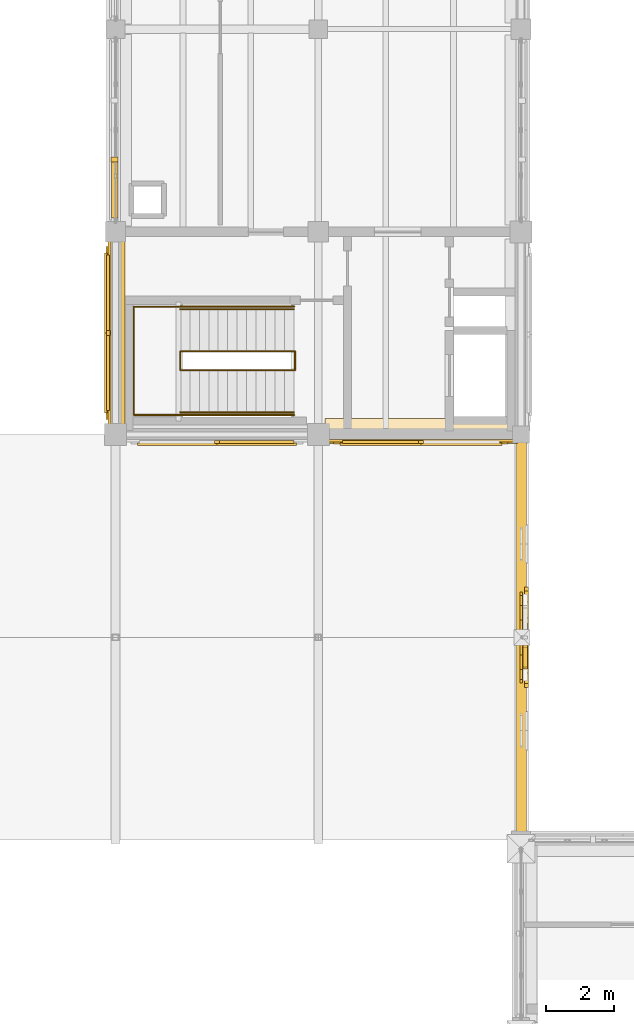
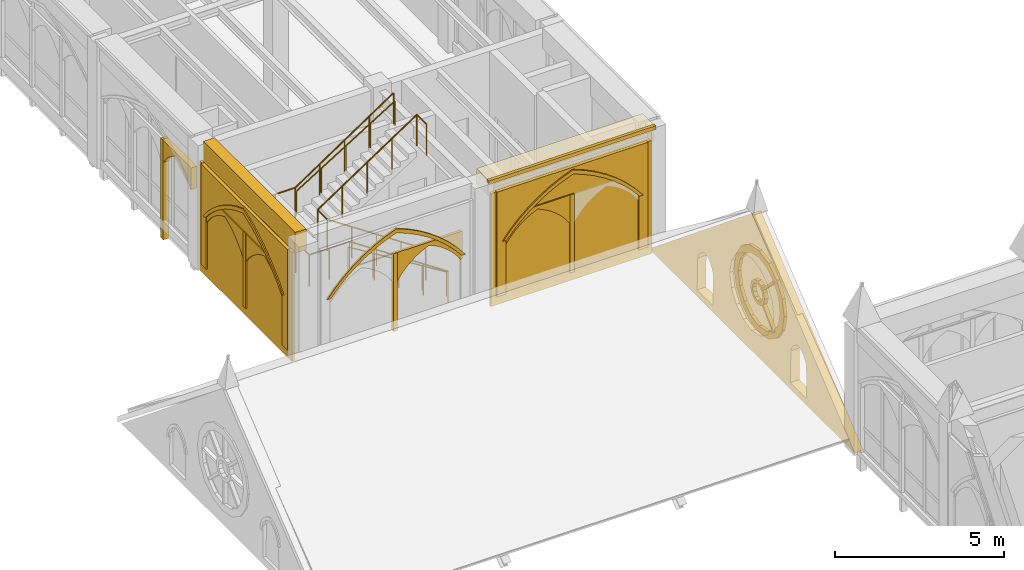
# One storey, part 114 of 143: 25 coverings, 6 railings.
"""IFC4 building model written with IfcOpenShell, lengths in metres."""

from ifc_helpers import new_model, si_unit, direction, frame, origin, origin_2d, place, context, subcontext, project, spatial, polyline, rectangle, circle, outline, extrude, material, type_object, element, save


model = new_model("IFC4")

# Units and contexts
model_context = context("Model", 3, precision=1e-05, world=origin(), true_north=direction((0.0, 1.0)))
body_context = subcontext(model_context, "Body", "Model", "MODEL_VIEW")
ifc_project = project(units=[si_unit("LENGTHUNIT", "METRE"), si_unit("AREAUNIT", "SQUARE_METRE"), si_unit("VOLUMEUNIT", "CUBIC_METRE"), si_unit("PLANEANGLEUNIT", "RADIAN"), si_unit("MASSUNIT", "GRAM", prefix="KILO")], contexts=[model_context])

# Site, building, storey
site_placement = place(None, origin())
site = spatial("IfcSite", under=ifc_project, at=site_placement, CompositionType="ELEMENT")
building_placement = place(site_placement, origin())
building = spatial("IfcBuilding", under=site, at=building_placement, Name="Cumevento Cable Car Station", CompositionType="ELEMENT")
storey_placement = place(building_placement, frame((0.0, 0.0, 9.0)))
storey = spatial("IfcBuildingStorey", under=building, at=storey_placement, Name="L03", CompositionType="ELEMENT", Elevation=9.0)

# Railings
ifc_material_1 = material(Name="Painted Galvanised Architectural Steel", Category="steel")
railing_type_1 = type_object("IfcRailingType", Name="Stair Guardrail GR-S115", PredefinedType="GUARDRAIL", material=ifc_material_1)
railing_1_placement = place(storey_placement, frame((15.280029296875, 28.89990234375, 0.0)))
element("IfcRailing", 1, at=railing_1_placement, inside=storey, type_object=railing_type_1, Name="Stair Well Inner Guardrail ST-03-L03", PredefinedType="GUARDRAIL", context=body_context, shape_type="SweptSolid", body=[
    extrude(circle(Radius=0.02392578125, at=origin_2d()), frame((0.0, 0.0, 1.1259765625), z_axis=(-0.830915400975, 0.0, 0.556398774641), x_axis=(0.0, -1.0, 0.0)), (0.0, 0.0, 1.0), 4.0439453125),
    extrude(circle(Radius=0.02392578125, at=origin_2d()), frame((-3.360107421875, 0.0, 3.3759765625), z_axis=(0.0, 1.0, 0.0), x_axis=(-1.0, 0.0, 0.0)), (0.0, 0.0, 1.0), 0.570068359375),
    extrude(circle(Radius=0.02392578125, at=origin_2d()), frame((-3.360107421875, 0.570068359375, 3.3759765625), z_axis=(0.833193183746, 0.0, 0.552982023722), x_axis=(0.0, 1.0, 0.0)), (0.0, 0.0, 1.0), 4.06884765625),
    extrude(circle(Radius=0.02392578125, at=origin_2d()), frame((0.030029296875, 0.570068359375, 5.6259765625), z_axis=(0.0, -1.0, 0.0), x_axis=(1.0, 0.0, 0.0)), (0.0, 0.0, 1.0), 0.570068359375),
    extrude(circle(Radius=0.02001953125, at=origin_2d()), origin(), (0.0, 0.0, 1.0), 1.101806640625),
    extrude(circle(Radius=0.02001953125, at=origin_2d()), frame((-0.840087890625, 0.0, 0.5625)), (0.0, 0.0, 1.0), 1.101806640625),
    extrude(circle(Radius=0.02001953125, at=origin_2d()), frame((-1.68017578125, 0.0, 1.125)), (0.0, 0.0, 1.0), 1.101806640625),
    extrude(circle(Radius=0.02001953125, at=origin_2d()), frame((-2.52001953125, 0.0, 1.6875)), (0.0, 0.0, 1.0), 1.101806640625),
    extrude(circle(Radius=0.02001953125, at=origin_2d()), frame((-3.360107421875, 0.0, 2.25)), (0.0, 0.0, 1.0), 1.101806640625),
    extrude(circle(Radius=0.02001953125, at=origin_2d()), frame((-3.360107421875, 0.570068359375, 2.25)), (0.0, 0.0, 1.0), 1.101806640625),
    extrude(circle(Radius=0.02001953125, at=origin_2d()), frame((-2.5126953125, 0.570068359375, 2.8125)), (0.0, 0.0, 1.0), 1.101806640625),
    extrude(circle(Radius=0.02001953125, at=origin_2d()), frame((-1.6650390625, 0.570068359375, 3.375)), (0.0, 0.0, 1.0), 1.101806640625),
    extrude(circle(Radius=0.02001953125, at=origin_2d()), frame((-0.8173828125, 0.570068359375, 3.9375)), (0.0, 0.0, 1.0), 1.101806640625),
    extrude(circle(Radius=0.02001953125, at=origin_2d()), frame((0.030029296875, 0.570068359375, 4.5)), (0.0, 0.0, 1.0), 1.101806640625),
    extrude(circle(Radius=0.02001953125, at=origin_2d()), frame((0.030029296875, 0.0, 4.5)), (0.0, 0.0, 1.0), 1.101806640625),
])
railing_2_placement = place(storey_placement, frame((11.919921875, 27.580078125, 2.25)))
element("IfcRailing", 2, at=railing_2_placement, inside=storey, type_object=railing_type_1, Name="Stair Half-Landing Guardrail ST-03-L03", PredefinedType="GUARDRAIL", context=body_context, shape_type="SweptSolid", body=[
    extrude(circle(Radius=0.02392578125, at=origin_2d()), frame((0.0, 0.0, 1.1259765625), z_axis=(-1.0, 0.0, 0.0), x_axis=(0.0, -1.0, 0.0)), (0.0, 0.0, 1.0), 1.3798828125),
    extrude(circle(Radius=0.02392578125, at=origin_2d()), frame((-1.3798828125, 0.0, 1.1259765625), z_axis=(0.0, 1.0, 0.0), x_axis=(-1.0, 0.0, 0.0)), (0.0, 0.0, 1.0), 3.2099609375),
    extrude(circle(Radius=0.02392578125, at=origin_2d()), frame((-1.3798828125, 3.2099609375, 1.1259765625), z_axis=(1.0, 0.0, 0.0), x_axis=(0.0, 1.0, 0.0)), (0.0, 0.0, 1.0), 1.3798828125),
    extrude(circle(Radius=0.02001953125, at=origin_2d()), origin(), (0.0, 0.0, 1.0), 1.101806640625),
    extrude(circle(Radius=0.02001953125, at=origin_2d()), frame((-0.68994140625, 0.0, 0.0)), (0.0, 0.0, 1.0), 1.101806640625),
    extrude(circle(Radius=0.02001953125, at=origin_2d()), frame((-1.3798828125, 0.0, 0.0)), (0.0, 0.0, 1.0), 1.101806640625),
    extrude(circle(Radius=0.02001953125, at=origin_2d()), frame((-1.3798828125, 0.802490234375, 0.0)), (0.0, 0.0, 1.0), 1.101806640625),
    extrude(circle(Radius=0.02001953125, at=origin_2d()), frame((-1.3798828125, 1.60498046875, 0.0)), (0.0, 0.0, 1.0), 1.101806640625),
    extrude(circle(Radius=0.02001953125, at=origin_2d()), frame((-1.3798828125, 2.407470703125, 0.0)), (0.0, 0.0, 1.0), 1.101806640625),
    extrude(circle(Radius=0.02001953125, at=origin_2d()), frame((-1.3798828125, 3.2099609375, 0.0)), (0.0, 0.0, 1.0), 1.101806640625),
    extrude(circle(Radius=0.02001953125, at=origin_2d()), frame((-0.68994140625, 3.2099609375, 0.0)), (0.0, 0.0, 1.0), 1.101806640625),
    extrude(circle(Radius=0.02001953125, at=origin_2d()), frame((0.0, 3.2099609375, 0.0)), (0.0, 0.0, 1.0), 1.101806640625),
])
railing_3_placement = place(storey_placement, frame((15.280029296875, 27.580078125, 0.0)))
element("IfcRailing", 3, at=railing_3_placement, inside=storey, type_object=railing_type_1, Name="Stair Outer Guardrail ST-03-L03 F1", PredefinedType="GUARDRAIL", context=body_context, shape_type="SweptSolid", body=[
    extrude(circle(Radius=0.02392578125, at=origin_2d()), frame((0.0, 0.0, 1.1259765625), z_axis=(-0.830915400975, 0.0, 0.556398774641), x_axis=(0.0, -1.0, 0.0)), (0.0, 0.0, 1.0), 4.0439453125),
    extrude(circle(Radius=0.02001953125, at=origin_2d()), origin(), (0.0, 0.0, 1.0), 1.101806640625),
    extrude(circle(Radius=0.02001953125, at=origin_2d()), frame((-0.840087890625, 0.0, 0.5625)), (0.0, 0.0, 1.0), 1.101806640625),
    extrude(circle(Radius=0.02001953125, at=origin_2d()), frame((-1.68017578125, 0.0, 1.125)), (0.0, 0.0, 1.0), 1.101806640625),
    extrude(circle(Radius=0.02001953125, at=origin_2d()), frame((-2.52001953125, 0.0, 1.6875)), (0.0, 0.0, 1.0), 1.101806640625),
    extrude(circle(Radius=0.02001953125, at=origin_2d()), frame((-3.360107421875, 0.0, 2.25)), (0.0, 0.0, 1.0), 1.101806640625),
])
railing_4_placement = place(storey_placement, frame((11.919921875, 30.7900390625, 2.25)))
element("IfcRailing", 4, at=railing_4_placement, inside=storey, type_object=railing_type_1, Name="Stair Outer Guardrail ST-03-L03 F2", PredefinedType="GUARDRAIL", context=body_context, shape_type="SweptSolid", body=[
    extrude(circle(Radius=0.02392578125, at=origin_2d()), frame((0.0, 0.0, 1.1259765625), z_axis=(0.830915400975, 0.0, 0.556398774641), x_axis=(0.0, 1.0, 0.0)), (0.0, 0.0, 1.0), 4.0439453125),
    extrude(circle(Radius=0.02001953125, at=origin_2d()), origin(), (0.0, 0.0, 1.0), 1.101806640625),
    extrude(circle(Radius=0.02001953125, at=origin_2d()), frame((0.840087890625, 0.0, 0.5625)), (0.0, 0.0, 1.0), 1.101806640625),
    extrude(circle(Radius=0.02001953125, at=origin_2d()), frame((1.68017578125, 0.0, 1.125)), (0.0, 0.0, 1.0), 1.101806640625),
    extrude(circle(Radius=0.02001953125, at=origin_2d()), frame((2.52001953125, 0.0, 1.6875)), (0.0, 0.0, 1.0), 1.101806640625),
    extrude(circle(Radius=0.02001953125, at=origin_2d()), frame((3.360107421875, 0.0, 2.25)), (0.0, 0.0, 1.0), 1.101806640625),
])
ifc_material_2 = material(Name="Brushed Stainless Steel Handrail Tube", Category="steel")
railing_type_2 = type_object("IfcRailingType", Name="Stair Handrail HR-090", PredefinedType="HANDRAIL", material=ifc_material_2)
railing_5_placement = place(storey_placement, frame((15.280029296875, 27.659912109375, 0.17626953125)))
element("IfcRailing", 5, at=railing_5_placement, inside=storey, type_object=railing_type_2, Name="Stair Pitch Handrail ST-03-L03 F1", PredefinedType="HANDRAIL", context=body_context, shape_type="SweptSolid", body=[
    extrude(circle(Radius=0.02099609375, at=origin_2d()), frame((0.0, 0.0, 0.87890625), z_axis=(-0.850623216509, 0.0, 0.525775754039), x_axis=(0.0, -1.0, 0.0)), (0.0, 0.0, 1.0), 3.9501953125),
    extrude(circle(Radius=0.01611328125, at=origin_2d()), origin(), (0.0, 0.0, 1.0), 0.85791015625),
    extrude(circle(Radius=0.01611328125, at=origin_2d()), frame((-0.840087890625, 0.0, 0.519287109375)), (0.0, 0.0, 1.0), 0.85791015625),
    extrude(circle(Radius=0.01611328125, at=origin_2d()), frame((-1.68017578125, 0.0, 1.03857421875)), (0.0, 0.0, 1.0), 0.85791015625),
    extrude(circle(Radius=0.01611328125, at=origin_2d()), frame((-2.52001953125, 0.0, 1.5576171875)), (0.0, 0.0, 1.0), 0.85791015625),
    extrude(circle(Radius=0.01611328125, at=origin_2d()), frame((-3.360107421875, 0.0, 2.076904296875)), (0.0, 0.0, 1.0), 0.85791015625),
])
railing_6_placement = place(storey_placement, frame((11.919921875, 30.7099609375, 2.42626953125)))
element("IfcRailing", 6, at=railing_6_placement, inside=storey, type_object=railing_type_2, Name="Stair Pitch Handrail ST-03-L03 F2", PredefinedType="HANDRAIL", context=body_context, shape_type="SweptSolid", body=[
    extrude(circle(Radius=0.02099609375, at=origin_2d()), frame((0.0, 0.0, 0.87890625), z_axis=(0.850623216509, 0.0, 0.525775754039), x_axis=(0.0, 1.0, 0.0)), (0.0, 0.0, 1.0), 3.9501953125),
    extrude(circle(Radius=0.01611328125, at=origin_2d()), origin(), (0.0, 0.0, 1.0), 0.85791015625),
    extrude(circle(Radius=0.01611328125, at=origin_2d()), frame((0.840087890625, 0.0, 0.519287109375)), (0.0, 0.0, 1.0), 0.85791015625),
    extrude(circle(Radius=0.01611328125, at=origin_2d()), frame((1.68017578125, 0.0, 1.03857421875)), (0.0, 0.0, 1.0), 0.85791015625),
    extrude(circle(Radius=0.01611328125, at=origin_2d()), frame((2.52001953125, 0.0, 1.5576171875)), (0.0, 0.0, 1.0), 0.85791015625),
    extrude(circle(Radius=0.01611328125, at=origin_2d()), frame((3.360107421875, 0.0, 2.076904296875)), (0.0, 0.0, 1.0), 0.85791015625),
])

# Coverings
ifc_material_3 = material(Name="Gnaisse Facoidal Stone Ashlar 85 MPa", Category="masonry")
covering_type = type_object("IfcCoveringType", Name="Gnaisse Ashlar Cladding CV-CL01", PredefinedType="CLADDING", material=ifc_material_3)
covering_1_placement = place(storey_placement, frame((19.03759765625, 27.149169921875, 3.98779296875), z_axis=(0.0, 0.0, 1.0), x_axis=(-1.0, 0.0, 0.0)))
element("IfcCovering", 7, at=covering_1_placement, inside=storey, type_object=covering_type, Name="Gothic Stone Spandrel Stringcourse sc:0617", PredefinedType="CLADDING", context=body_context, shape_type="SweptSolid", body=[
    extrude(rectangle(XDim=5.6650390625, YDim=0.66162109375, at=origin_2d()), origin(), (0.0, 0.0, 1.0), 0.592041015625),
])
covering_2_placement = place(storey_placement, frame((19.03759765625, 26.791015625, 4.449951171875), z_axis=(0.0, 0.0, 1.0), x_axis=(-1.0, 0.0, 0.0)))
element("IfcCovering", 8, at=covering_2_placement, inside=storey, type_object=covering_type, Name="Gothic Cornice Dripstone Lip sc:0617", PredefinedType="CLADDING", context=body_context, shape_type="SweptSolid", body=[
    extrude(rectangle(XDim=5.705078125, YDim=0.114990234375, at=origin_2d()), origin(), (0.0, 0.0, 1.0), 0.1298828125),
])
covering_3_placement = place(storey_placement, frame((10.090087890625, 30.012451171875, 3.8330078125), z_axis=(0.0, 0.0, 1.0), x_axis=(0.0, 1.0, 0.0)))
element("IfcCovering", 9, at=covering_3_placement, inside=storey, type_object=covering_type, Name="Gothic Stone Spandrel Stringcourse sc:0618", PredefinedType="CLADDING", context=body_context, shape_type="SweptSolid", body=[
    extrude(rectangle(XDim=5.43505859375, YDim=0.3798828125, at=origin_2d()), origin(), (0.0, 0.0, 1.0), 0.7470703125),
])
covering_4_placement = place(storey_placement, frame((10.0, 33.300048828125, -0.3701171875), z_axis=(0.0, 0.0, 1.0), x_axis=(0.0, 1.0, 0.0)))
element("IfcCovering", 10, at=covering_4_placement, inside=storey, type_object=covering_type, Name="Gothic Bifora Stone Colonnette cw_ogival:0091 #1", PredefinedType="CLADDING", context=body_context, shape_type="SweptSolid", body=[
    extrude(outline(polyline([(1.76171875, -0.02001953125), (1.91162109375, -0.02001953125), (1.91162109375, 3.581298828125), (1.76171875, 3.581298828125), (1.76171875, -0.02001953125)])), frame((0.0, 0.1279296875, 0.0), z_axis=(0.0, -1.0, 0.0), x_axis=(1.0, 0.0, 0.0)), (0.0, 0.0, 1.0), 0.205078125),
])
covering_5_placement = place(storey_placement, frame((10.0, 33.429931640625, 2.423095703125), z_axis=(0.0, 0.0, 1.0), x_axis=(0.0, 1.0, 0.0)))
element("IfcCovering", 11, at=covering_5_placement, inside=storey, type_object=covering_type, Name="Gothic Ogival Pointed-Arch Stone Spandrel cw_ogival:0091:sub:0", PredefinedType="CLADDING", context=body_context, shape_type="SweptSolid", body=[
    extrude(outline(polyline([(-0.02001953125, 0.0), (-0.02001953125, 0.788330078125), (1.681640625, 0.788330078125), (1.681640625, 0.0), (1.62158203125, 0.0), (1.5224609375, 0.144775390625), (1.408447265625, 0.278076171875), (1.280517578125, 0.3984375), (1.140625, 0.50439453125), (0.990234375, 0.5947265625), (0.830810546875, 0.668212890625), (0.67138671875, 0.5947265625), (0.52099609375, 0.50439453125), (0.381103515625, 0.3984375), (0.253173828125, 0.278076171875), (0.13916015625, 0.144775390625), (0.0400390625, 0.0), (-0.02001953125, 0.0)])), frame((0.0, 0.1240234375, 0.0), z_axis=(0.0, -1.0, 0.0), x_axis=(1.0, 0.0, 0.0)), (0.0, 0.0, 1.0), 0.199951171875),
])
covering_6_placement = place(storey_placement, frame((15.4951171875, 27.0, 2.259033203125), z_axis=(0.0, 0.0, 1.0), x_axis=(-1.0, 0.0, 0.0)))
element("IfcCovering", 12, at=covering_6_placement, inside=storey, type_object=covering_type, Name="Gothic Pointed Archivolt Hood Moulding blind_ogival:0235", PredefinedType="CLADDING", context=body_context, shape_type="SweptSolid", body=[
    extrude(outline(polyline([(0.260009765625, 0.0), (0.51806640625, 0.30224609375), (0.7998046875, 0.582763671875), (1.103515625, 0.839111328125), (1.42724609375, 1.070068359375), (1.7685546875, 1.27392578125), (2.125244140625, 1.44921875), (2.4951171875, 1.594970703125), (2.86474609375, 1.44921875), (3.221435546875, 1.27392578125), (3.562744140625, 1.070068359375), (3.886474609375, 0.839111328125), (4.190185546875, 0.582763671875), (4.471923828125, 0.30224609375), (4.72998046875, 0.0), (4.85107421875, 0.0), (4.583251953125, 0.330078125), (4.2890625, 0.636474609375), (3.969970703125, 0.9169921875), (3.628662109375, 1.170166015625), (3.267333984375, 1.3935546875), (2.888671875, 1.586181640625), (2.4951171875, 1.746337890625), (2.101318359375, 1.586181640625), (1.72265625, 1.3935546875), (1.361328125, 1.170166015625), (1.02001953125, 0.9169921875), (0.700927734375, 0.636474609375), (0.40673828125, 0.330078125), (0.138916015625, 0.0), (0.260009765625, 0.0)])), frame((0.0, 0.319580078125, 0.0), z_axis=(0.0, -1.0, 0.0), x_axis=(1.0, 0.0, 0.0)), (0.0, 0.0, 1.0), 0.06689453125),
])
covering_7_placement = place(storey_placement, frame((15.4951171875, 27.0, 0.300048828125), z_axis=(0.0, 0.0, 1.0), x_axis=(-1.0, 0.0, 0.0)))
element("IfcCovering", 13, at=covering_7_placement, inside=storey, type_object=covering_type, Name="Gothic Bifora Stone Colonnette blind_ogival:0235 #1", PredefinedType="CLADDING", context=body_context, shape_type="SweptSolid", body=[
    extrude(outline(polyline([(2.419921875, -0.02001953125), (2.570068359375, -0.02001953125), (2.570068359375, 2.788330078125), (2.419921875, 2.788330078125), (2.419921875, -0.02001953125)])), frame((0.0, 0.265380859375, 0.0), z_axis=(0.0, -1.0, 0.0), x_axis=(1.0, 0.0, 0.0)), (0.0, 0.0, 1.0), 0.094970703125),
])
covering_8_placement = place(storey_placement, frame((15.264892578125, 27.0, 2.0791015625), z_axis=(0.0, 0.0, 1.0), x_axis=(-1.0, 0.0, 0.0)))
element("IfcCovering", 14, at=covering_8_placement, inside=storey, type_object=covering_type, Name="Gothic Ogival Pointed-Arch Stone Spandrel blind_ogival:0235:sub:0", PredefinedType="CLADDING", context=body_context, shape_type="SweptSolid", body=[
    extrude(outline(polyline([(-0.02001953125, 0.0), (-0.02001953125, 1.009521484375), (2.239990234375, 1.009521484375), (2.239990234375, 0.0), (2.179931640625, 0.0), (2.044677734375, 0.193115234375), (1.8896484375, 0.37060546875), (1.716552734375, 0.53076171875), (1.52734375, 0.671630859375), (1.324462890625, 0.79150390625), (1.110107421875, 0.889404296875), (0.8955078125, 0.79150390625), (0.692626953125, 0.671630859375), (0.50341796875, 0.53076171875), (0.330322265625, 0.37060546875), (0.17529296875, 0.193115234375), (0.0400390625, 0.0), (-0.02001953125, 0.0)])), frame((0.0, 0.261474609375, 0.0), z_axis=(0.0, -1.0, 0.0), x_axis=(1.0, 0.0, 0.0)), (0.0, 0.0, 1.0), 0.090087890625),
])
covering_9_placement = place(storey_placement, frame((21.75, 27.0, 0.0), z_axis=(0.0, 0.0, 1.0), x_axis=(-1.0, 0.0, 0.0)))
element("IfcCovering", 15, at=covering_9_placement, inside=storey, type_object=covering_type, Name="Exterior Gnaisse Stone Wall Ashlar #236", PredefinedType="CLADDING", context=body_context, shape_type="SweptSolid", body=[
    extrude(outline(polyline([(-0.0400390625, -0.02001953125), (5.465087890625, -0.02001953125), (5.465087890625, 4.068115234375), (-0.0400390625, 4.068115234375), (-0.0400390625, -0.02001953125)])), frame((0.0, 0.222412109375, 0.0), z_axis=(0.0, -1.0, 0.0), x_axis=(1.0, 0.0, 0.0)), (0.0, 0.0, 1.0), 0.0849609375),
])
placement_1 = place(storey_placement, frame((21.570068359375, 27.0, 0.300048828125), z_axis=(0.0, 0.0, 1.0), x_axis=(-1.0, 0.0, 0.0)))
element("IfcCovering", 16, at=placement_1, inside=storey, type_object=covering_type, Name="Gothic Ogival Pointed-Arch Stone Spandrel blind_ogival:0236", PredefinedType="CLADDING", context=body_context, shape_type="SweptSolid", body=[
    extrude(outline(polyline([(-0.050048828125, 0.0), (-0.050048828125, 3.7880859375), (5.114990234375, 3.7880859375), (5.114990234375, 0.0), (4.804931640625, 0.0), (4.804931640625, 1.966796875), (4.541259765625, 2.2705078125), (4.253662109375, 2.55224609375), (3.944580078125, 2.809814453125), (3.61572265625, 3.04150390625), (3.26904296875, 3.24609375), (2.9072265625, 3.421630859375), (2.532470703125, 3.568115234375), (2.15771484375, 3.421630859375), (1.7958984375, 3.24609375), (1.44921875, 3.04150390625), (1.120361328125, 2.809814453125), (0.811279296875, 2.55224609375), (0.523681640625, 2.2705078125), (0.260009765625, 1.966796875), (0.260009765625, 0.0), (-0.050048828125, 0.0)])), frame((0.0, 0.277587890625, 0.0), z_axis=(0.0, -1.0, 0.0), x_axis=(1.0, 0.0, 0.0)), (0.0, 0.0, 1.0), 0.110107421875),
])
covering_11_placement = place(storey_placement, frame((21.570068359375, 27.0, 2.266845703125), z_axis=(0.0, 0.0, 1.0), x_axis=(-1.0, 0.0, 0.0)))
element("IfcCovering", 17, at=covering_11_placement, inside=storey, type_object=covering_type, Name="Gothic Pointed Archivolt Hood Moulding blind_ogival:0236", PredefinedType="CLADDING", context=body_context, shape_type="SweptSolid", body=[
    extrude(outline(polyline([(0.260009765625, 0.0), (0.523681640625, 0.3037109375), (0.811279296875, 0.58544921875), (1.120361328125, 0.8427734375), (1.44921875, 1.074462890625), (1.7958984375, 1.279052734375), (2.15771484375, 1.454833984375), (2.532470703125, 1.60107421875), (2.9072265625, 1.454833984375), (3.26904296875, 1.279052734375), (3.61572265625, 1.074462890625), (3.944580078125, 0.8427734375), (4.253662109375, 0.58544921875), (4.541259765625, 0.3037109375), (4.804931640625, 0.0), (4.926025390625, 0.0), (4.652587890625, 0.33154296875), (4.3525390625, 0.63916015625), (4.028076171875, 0.9208984375), (3.681396484375, 1.174560546875), (3.31494140625, 1.39892578125), (2.930908203125, 1.591796875), (2.532470703125, 1.75244140625), (2.134033203125, 1.591796875), (1.75, 1.39892578125), (1.383544921875, 1.174560546875), (1.036865234375, 0.9208984375), (0.71240234375, 0.63916015625), (0.412353515625, 0.33154296875), (0.138916015625, 0.0), (0.260009765625, 0.0)])), frame((0.0, 0.319580078125, 0.0), z_axis=(0.0, -1.0, 0.0), x_axis=(1.0, 0.0, 0.0)), (0.0, 0.0, 1.0), 0.06689453125),
])
element("IfcCovering", 18, at=placement_1, inside=storey, type_object=covering_type, Name="Gothic Bifora Stone Colonnette blind_ogival:0236 #1", PredefinedType="CLADDING", context=body_context, shape_type="SweptSolid", body=[
    extrude(outline(polyline([(2.45751953125, -0.02001953125), (2.607421875, -0.02001953125), (2.607421875, 2.799560546875), (2.45751953125, 2.799560546875), (2.45751953125, -0.02001953125)])), frame((0.0, 0.265380859375, 0.0), z_axis=(0.0, -1.0, 0.0), x_axis=(1.0, 0.0, 0.0)), (0.0, 0.0, 1.0), 0.094970703125),
])
covering_13_placement = place(storey_placement, frame((18.992431640625, 27.0, 2.0869140625), z_axis=(0.0, 0.0, 1.0), x_axis=(-1.0, 0.0, 0.0)))
element("IfcCovering", 19, at=covering_13_placement, inside=storey, type_object=covering_type, Name="Gothic Ogival Pointed-Arch Stone Spandrel blind_ogival:0236:sub:1", PredefinedType="CLADDING", context=body_context, shape_type="SweptSolid", body=[
    extrude(outline(polyline([(-0.02001953125, 0.0), (-0.02001953125, 1.0126953125), (2.277587890625, 1.0126953125), (2.277587890625, 0.0), (2.217529296875, 0.0), (2.078857421875, 0.194091796875), (1.92041015625, 0.372314453125), (1.744384765625, 0.532958984375), (1.55224609375, 0.67431640625), (1.34619140625, 0.794677734375), (1.128662109375, 0.892578125), (0.911376953125, 0.794677734375), (0.705322265625, 0.67431640625), (0.51318359375, 0.532958984375), (0.337158203125, 0.372314453125), (0.1787109375, 0.194091796875), (0.0400390625, 0.0), (-0.02001953125, 0.0)])), frame((0.0, 0.261474609375, 0.0), z_axis=(0.0, -1.0, 0.0), x_axis=(1.0, 0.0, 0.0)), (0.0, 0.0, 1.0), 0.090087890625),
])
covering_14_placement = place(storey_placement, frame((10.0, 27.324951171875, 0.0), z_axis=(0.0, 0.0, 1.0), x_axis=(0.0, 1.0, 0.0)))
element("IfcCovering", 20, at=covering_14_placement, inside=storey, type_object=covering_type, Name="Exterior Gnaisse Stone Wall Ashlar #237", PredefinedType="CLADDING", context=body_context, shape_type="SweptSolid", body=[
    extrude(outline(polyline([(-0.0400390625, -0.02001953125), (5.4150390625, -0.02001953125), (5.4150390625, 3.9130859375), (-0.0400390625, 3.9130859375), (-0.0400390625, -0.02001953125)])), frame((0.0, 0.222412109375, 0.0), z_axis=(0.0, -1.0, 0.0), x_axis=(1.0, 0.0, 0.0)), (0.0, 0.0, 1.0), 0.0849609375),
])
placement_2 = place(storey_placement, frame((10.0, 27.5048828125, 0.300048828125), z_axis=(0.0, 0.0, 1.0), x_axis=(0.0, 1.0, 0.0)))
element("IfcCovering", 21, at=placement_2, inside=storey, type_object=covering_type, Name="Gothic Ogival Pointed-Arch Stone Spandrel blind_ogival:0237", PredefinedType="CLADDING", context=body_context, shape_type="SweptSolid", body=[
    extrude(outline(polyline([(-0.050048828125, 0.0), (-0.050048828125, 3.633056640625), (5.06494140625, 3.633056640625), (5.06494140625, 0.0), (4.7548828125, 0.0), (4.7548828125, 1.880126953125), (4.49072265625, 2.171630859375), (4.204345703125, 2.441650390625), (3.897705078125, 2.688232421875), (3.572509765625, 2.909912109375), (3.231201171875, 3.10546875), (2.875244140625, 3.2734375), (2.507568359375, 3.4130859375), (2.1396484375, 3.2734375), (1.78369140625, 3.10546875), (1.4423828125, 2.909912109375), (1.1171875, 2.688232421875), (0.810546875, 2.441650390625), (0.524169921875, 2.171630859375), (0.260009765625, 1.880126953125), (0.260009765625, 0.0), (-0.050048828125, 0.0)])), frame((0.0, 0.277587890625, 0.0), z_axis=(0.0, -1.0, 0.0), x_axis=(1.0, 0.0, 0.0)), (0.0, 0.0, 1.0), 0.110107421875),
])
covering_16_placement = place(storey_placement, frame((10.0, 27.5048828125, 2.18017578125), z_axis=(0.0, 0.0, 1.0), x_axis=(0.0, 1.0, 0.0)))
element("IfcCovering", 22, at=covering_16_placement, inside=storey, type_object=covering_type, Name="Gothic Pointed Archivolt Hood Moulding blind_ogival:0237", PredefinedType="CLADDING", context=body_context, shape_type="SweptSolid", body=[
    extrude(outline(polyline([(0.260009765625, 0.0), (0.524169921875, 0.29150390625), (0.810546875, 0.5615234375), (1.1171875, 0.80810546875), (1.4423828125, 1.02978515625), (1.78369140625, 1.225341796875), (2.1396484375, 1.393310546875), (2.507568359375, 1.532958984375), (2.875244140625, 1.393310546875), (3.231201171875, 1.225341796875), (3.572509765625, 1.02978515625), (3.897705078125, 0.80810546875), (4.204345703125, 0.5615234375), (4.49072265625, 0.29150390625), (4.7548828125, 0.0), (4.8759765625, 0.0), (4.60205078125, 0.3193359375), (4.302978515625, 0.615478515625), (3.981201171875, 0.88623046875), (3.63818359375, 1.1298828125), (3.27685546875, 1.34521484375), (2.89892578125, 1.5302734375), (2.507568359375, 1.68408203125), (2.115966796875, 1.5302734375), (1.738037109375, 1.34521484375), (1.376708984375, 1.1298828125), (1.03369140625, 0.88623046875), (0.7119140625, 0.615478515625), (0.412841796875, 0.3193359375), (0.138916015625, 0.0), (0.260009765625, 0.0)])), frame((0.0, 0.319580078125, 0.0), z_axis=(0.0, -1.0, 0.0), x_axis=(1.0, 0.0, 0.0)), (0.0, 0.0, 1.0), 0.06689453125),
])
element("IfcCovering", 23, at=placement_2, inside=storey, type_object=covering_type, Name="Gothic Bifora Stone Colonnette blind_ogival:0237 #1", PredefinedType="CLADDING", context=body_context, shape_type="SweptSolid", body=[
    extrude(outline(polyline([(2.4326171875, -0.02001953125), (2.58251953125, -0.02001953125), (2.58251953125, 2.67724609375), (2.4326171875, 2.67724609375), (2.4326171875, -0.02001953125)])), frame((0.0, 0.265380859375, 0.0), z_axis=(0.0, -1.0, 0.0), x_axis=(1.0, 0.0, 0.0)), (0.0, 0.0, 1.0), 0.094970703125),
])
for number, where, z_axis, x_axis, name in (
    (24, (10.0, 27.735107421875, 2.0), (0.0, 0.0, 1.0), (0.0, 1.0, 0.0), "Gothic Ogival Pointed-Arch Stone Spandrel blind_ogival:0237:sub:0"),
    (25, (10.0, 30.0576171875, 2.0), (0.0, 0.0, 1.0), (0.0, 1.0, 0.0), "Gothic Ogival Pointed-Arch Stone Spandrel blind_ogival:0237:sub:1"),
):
    element("IfcCovering", number, at=place(storey_placement, frame(where, z_axis=z_axis, x_axis=x_axis)), inside=storey, type_object=covering_type, Name=name, PredefinedType="CLADDING", context=body_context, shape_type="SweptSolid", body=[
        extrude(outline(polyline([(-0.02001953125, 0.0), (-0.02001953125, 0.97705078125), (2.25244140625, 0.97705078125), (2.25244140625, 0.0), (2.1923828125, 0.0), (2.05322265625, 0.186767578125), (1.8955078125, 0.358154296875), (1.72119140625, 0.512451171875), (1.53173828125, 0.64794921875), (1.329345703125, 0.76318359375), (1.1162109375, 0.857177734375), (0.903076171875, 0.76318359375), (0.70068359375, 0.64794921875), (0.51123046875, 0.512451171875), (0.3369140625, 0.358154296875), (0.17919921875, 0.186767578125), (0.0400390625, 0.0), (-0.02001953125, 0.0)])), frame((0.0, 0.261474609375, 0.0), z_axis=(0.0, -1.0, 0.0), x_axis=(1.0, 0.0, 0.0)), (0.0, 0.0, 1.0), 0.090087890625),
    ])
placement_3 = place(storey_placement, frame((22.0, 27.0, 0.0), z_axis=(0.0, 0.0, 1.0), x_axis=(0.0, -1.0, 0.0)))
element("IfcCovering", 26, at=placement_3, inside=storey, type_object=covering_type, Name="Gothic Stone Gable Tympanum wing_B_V6a_E", PredefinedType="CLADDING", context=body_context, shape_type="SweptSolid", body=[
    extrude(outline(polyline([(-0.080078125, -0.06005859375), (12.080078125, -0.06005859375), (6.0, 4.909912109375), (-0.080078125, -0.06005859375)]), holes=[polyline([(7.30419921875, 1.980224609375), (7.204833984375, 2.479248046875), (6.922119140625, 2.90234375), (6.4990234375, 3.18505859375), (6.0, 3.284423828125), (5.5009765625, 3.18505859375), (5.077880859375, 2.90234375), (4.795166015625, 2.479248046875), (4.69580078125, 1.980224609375), (4.795166015625, 1.481201171875), (5.077880859375, 1.05810546875), (5.5009765625, 0.775390625), (6.0, 0.67626953125), (6.4990234375, 0.775390625), (6.922119140625, 1.05810546875), (7.204833984375, 1.481201171875), (7.30419921875, 1.980224609375)]), polyline([(2.764892578125, 0.179931640625), (3.715087890625, 0.179931640625), (3.693115234375, 1.342529296875), (3.62890625, 1.495849609375), (3.52685546875, 1.627197265625), (3.394287109375, 1.727294921875), (3.239990234375, 1.789306640625), (3.085693359375, 1.727294921875), (2.953125, 1.627197265625), (2.85107421875, 1.495849609375), (2.786865234375, 1.342529296875), (2.764892578125, 0.179931640625)]), polyline([(8.284912109375, 0.179931640625), (9.235107421875, 0.179931640625), (9.213134765625, 1.342529296875), (9.14892578125, 1.495849609375), (9.046875, 1.627197265625), (8.914306640625, 1.727294921875), (8.760009765625, 1.789306640625), (8.605712890625, 1.727294921875), (8.47314453125, 1.627197265625), (8.37109375, 1.495849609375), (8.306884765625, 1.342529296875), (8.284912109375, 0.179931640625)])]), frame((0.0, 0.159912109375, 0.0), z_axis=(0.0, -1.0, 0.0), x_axis=(1.0, 0.0, 0.0)), (0.0, 0.0, 1.0), 0.300048828125),
])
element("IfcCovering", 27, at=placement_3, inside=storey, type_object=covering_type, Name="Gothic Gable Recessed Tracery Backing wing_B_V6a_E rose", PredefinedType="CLADDING", context=body_context, shape_type="SweptSolid", body=[
    extrude(outline(polyline([(7.343994140625, 1.980224609375), (7.24169921875, 2.49462890625), (6.950439453125, 2.9306640625), (6.514404296875, 3.22216796875), (6.0, 3.324462890625), (5.485595703125, 3.22216796875), (5.049560546875, 2.9306640625), (4.75830078125, 2.49462890625), (4.656005859375, 1.980224609375), (4.75830078125, 1.4658203125), (5.049560546875, 1.02978515625), (5.485595703125, 0.738525390625), (6.0, 0.63623046875), (6.514404296875, 0.738525390625), (6.950439453125, 1.02978515625), (7.24169921875, 1.4658203125), (7.343994140625, 1.980224609375)])), frame((0.0, 0.050048828125, 0.0), z_axis=(0.0, -1.0, 0.0), x_axis=(1.0, 0.0, 0.0)), (0.0, 0.0, 1.0), 0.074951171875),
])
element("IfcCovering", 28, at=placement_3, inside=storey, type_object=covering_type, Name="Gothic 16-Sided Stone Rose Window Ring wing_B_V6a_E", PredefinedType="CLADDING", context=body_context, shape_type="SweptSolid", body=[
    extrude(outline(polyline([(7.484130859375, 1.980224609375), (7.37109375, 2.54833984375), (7.04931640625, 3.02978515625), (6.56787109375, 3.351318359375), (6.0, 3.46435546875), (5.43212890625, 3.351318359375), (4.95068359375, 3.02978515625), (4.62890625, 2.54833984375), (4.515869140625, 1.980224609375), (4.62890625, 1.412353515625), (4.95068359375, 0.930908203125), (5.43212890625, 0.609130859375), (6.0, 0.49609375), (6.56787109375, 0.609130859375), (7.04931640625, 0.930908203125), (7.37109375, 1.412353515625), (7.484130859375, 1.980224609375)]), holes=[polyline([(7.234130859375, 1.980224609375), (7.14013671875, 2.45263671875), (6.87255859375, 2.85302734375), (6.47216796875, 3.120361328125), (6.0, 3.21435546875), (5.52783203125, 3.120361328125), (5.12744140625, 2.85302734375), (4.85986328125, 2.45263671875), (4.765869140625, 1.980224609375), (4.85986328125, 1.508056640625), (5.12744140625, 1.107666015625), (5.52783203125, 0.840087890625), (6.0, 0.74609375), (6.47216796875, 0.840087890625), (6.87255859375, 1.107666015625), (7.14013671875, 1.508056640625), (7.234130859375, 1.980224609375)])]), frame((0.0, 0.215087890625, 0.0), z_axis=(0.0, -1.0, 0.0), x_axis=(1.0, 0.0, 0.0)), (0.0, 0.0, 1.0), 0.110107421875),
])
element("IfcCovering", 29, at=placement_3, inside=storey, type_object=covering_type, Name="Gothic Rose Central Stone Oculus Hub wing_B_V6a_E", PredefinedType="CLADDING", context=body_context, shape_type="SweptSolid", body=[
    extrude(outline(polyline([(6.419189453125, 1.980224609375), (6.363037109375, 2.18994140625), (6.20947265625, 2.34326171875), (6.0, 2.3994140625), (5.79052734375, 2.34326171875), (5.636962890625, 2.18994140625), (5.580810546875, 1.980224609375), (5.636962890625, 1.770751953125), (5.79052734375, 1.617431640625), (6.0, 1.561279296875), (6.20947265625, 1.617431640625), (6.363037109375, 1.770751953125), (6.419189453125, 1.980224609375)]), holes=[polyline([(6.299072265625, 1.980224609375), (6.259033203125, 2.1298828125), (6.149658203125, 2.2392578125), (6.0, 2.279296875), (5.850341796875, 2.2392578125), (5.740966796875, 2.1298828125), (5.700927734375, 1.980224609375), (5.740966796875, 1.830810546875), (5.850341796875, 1.72119140625), (6.0, 1.68115234375), (6.149658203125, 1.72119140625), (6.259033203125, 1.830810546875), (6.299072265625, 1.980224609375)])]), frame((0.0, 0.18994140625, 0.0), z_axis=(0.0, -1.0, 0.0), x_axis=(1.0, 0.0, 0.0)), (0.0, 0.0, 1.0), 0.139892578125),
])
element("IfcCovering", 30, at=placement_3, inside=storey, type_object=covering_type, Name="Gothic Rose Stone Tracery Mullion wing_B_V6a_E #2", PredefinedType="CLADDING", context=body_context, shape_type="SweptSolid", body=[
    extrude(outline(polyline([(6.229248046875, 2.273193359375), (6.876220703125, 2.920166015625), (6.939697265625, 2.8564453125), (6.292724609375, 2.20947265625), (6.229248046875, 2.273193359375)])), frame((0.0, 0.18505859375, 0.0), z_axis=(0.0, -1.0, 0.0), x_axis=(1.0, 0.0, 0.0)), (0.0, 0.0, 1.0), 0.1298828125),
])
element("IfcCovering", 31, at=placement_3, inside=storey, type_object=covering_type, Name="Gothic Rose Stone Tracery Mullion wing_B_V6a_E #8", PredefinedType="CLADDING", context=body_context, shape_type="SweptSolid", body=[
    extrude(outline(polyline([(6.292724609375, 1.751220703125), (6.939697265625, 1.10400390625), (6.876220703125, 1.04052734375), (6.229248046875, 1.6875), (6.292724609375, 1.751220703125)])), frame((0.0, 0.18505859375, 0.0), z_axis=(0.0, -1.0, 0.0), x_axis=(1.0, 0.0, 0.0)), (0.0, 0.0, 1.0), 0.1298828125),
])

save(model, "model.ifc")
